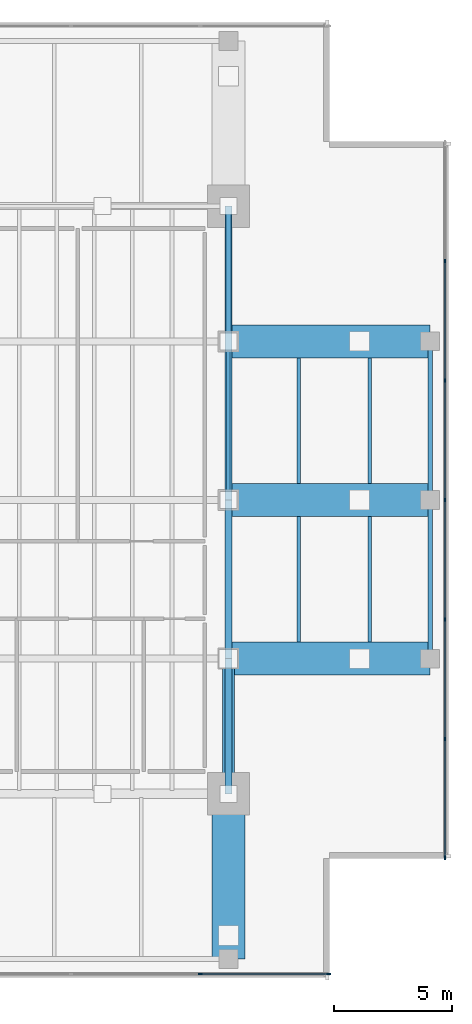
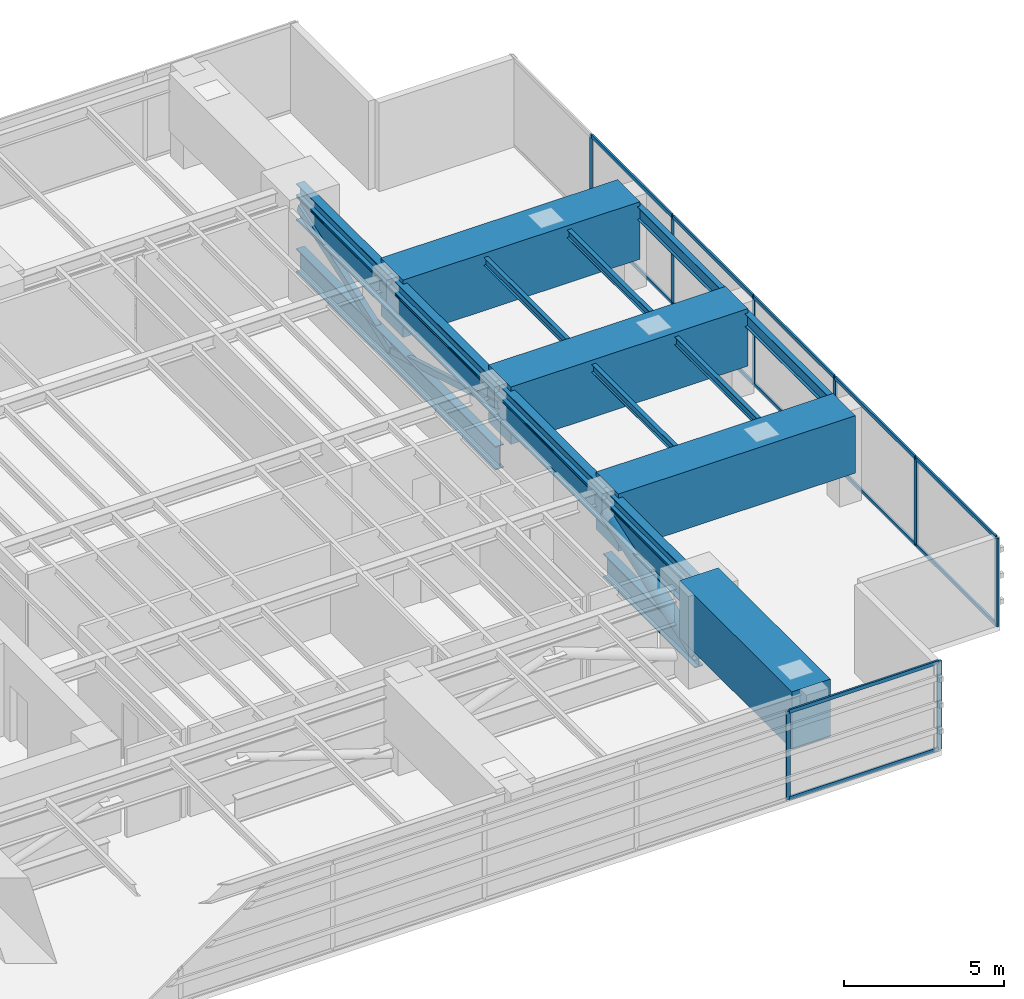
# One storey, part 4 of 13: 26 members, 14 beams, 2 elements without a shape of their own.
"""IFC4 building model written with IfcOpenShell, lengths in metres."""

import ifcopenshell
import ifcopenshell.guid

model = None  # the IFC model being written
_history = None  # IfcOwnerHistory: only IFC2X3 demands one
_inside = {}  # id of a spatial element -> (the spatial element, [elements in it])
_under = {}  # id of a project, library or spatial element -> (it, [spatial elements below it])
_declared = {}  # id of a project -> (the project, [libraries it declares])
_typed = {}  # id of a type object -> (the type object, [elements of that type])
_made_of = {}  # id of a material, layer set ... -> (it, [elements and type objects made of it])


def new_model(schema):
    """Start an empty IFC model of exactly this schema.

    Asked for "IFC4X3", IfcOpenShell would pick the latest addendum, in which some entities
    have other attributes; the version numbers below select the first issue.
    IFC2X3 requires an IfcOwnerHistory on every rooted entity: one is made here for all.
    """
    global model, _history
    if schema == "IFC4X3":
        model = ifcopenshell.file(schema_version=(4, 3, 0, 0))
    else:
        model = ifcopenshell.file(schema=schema)
    _inside.clear()
    _under.clear()
    _declared.clear()
    _typed.clear()
    _made_of.clear()
    _history = None
    if model.schema == "IFC2X3":
        org = make("IfcOrganization", Name="unknown")
        user = make(
            "IfcPersonAndOrganization",
            ThePerson=make("IfcPerson", FamilyName="unknown"),
            TheOrganization=org,
        )
        app = make(
            "IfcApplication",
            ApplicationDeveloper=org,
            Version="unknown",
            ApplicationFullName="unknown",
            ApplicationIdentifier="unknown",
        )
        _history = make(
            "IfcOwnerHistory",
            OwningUser=user,
            OwningApplication=app,
            ChangeAction="ADDED",
            CreationDate=0,
        )
    return model


def make(cls, **values):
    """One entity of the class cls with the attributes given. An attribute that is None is left unset."""
    return model.create_entity(
        cls, **{name: value for name, value in values.items() if value is not None}
    )


def rooted(cls, **values):
    """An entity with a GlobalId (a new one), such as an element, a storey or a relation."""
    return make(cls, GlobalId=ifcopenshell.guid.new(), OwnerHistory=_history, **values)


def si_unit(unit_type, name, prefix=None):
    """IfcSIUnit, for example si_unit("LENGTHUNIT", "METRE", prefix="MILLI")."""
    return make("IfcSIUnit", UnitType=unit_type, Prefix=prefix, Name=name)


def assignment(units):
    """IfcUnitAssignment: the units of a project."""
    return None if units is None else make("IfcUnitAssignment", Units=units)


def point(xyz):
    """IfcCartesianPoint."""
    return None if xyz is None else make("IfcCartesianPoint", Coordinates=xyz)


def direction(xyz):
    """IfcDirection."""
    return None if xyz is None else make("IfcDirection", DirectionRatios=xyz)


def frame(location, z_axis=None, x_axis=None):
    """IfcAxis2Placement3D, a coordinate frame: its origin and axes. An axis left out is left unset."""
    return make(
        "IfcAxis2Placement3D",
        Location=point(location),
        Axis=direction(z_axis),
        RefDirection=direction(x_axis),
    )


def frame_2d(location, x_axis=None):
    """IfcAxis2Placement2D, a coordinate frame in the plane: its origin and x axis."""
    return make(
        "IfcAxis2Placement2D", Location=point(location), RefDirection=direction(x_axis)
    )


def origin():
    """The frame at (0, 0, 0) with its axes left unset."""
    return frame((0.0, 0.0, 0.0))


def origin_2d():
    """The frame at (0, 0) in the plane with its x axis left unset."""
    return frame_2d((0.0, 0.0))


def place(relative_to, where):
    """IfcLocalPlacement: puts the frame where relative to a parent placement (None: the world)."""
    return make(
        "IfcLocalPlacement", PlacementRelTo=relative_to, RelativePlacement=where
    )


def context(
    kind, dimensions, precision=None, world=None, true_north=None, identifier=None
):
    """IfcGeometricRepresentationContext, for example the 3D "Model" context."""
    return make(
        "IfcGeometricRepresentationContext",
        ContextIdentifier=identifier,
        ContextType=kind,
        CoordinateSpaceDimension=dimensions,
        Precision=precision,
        WorldCoordinateSystem=world,
        TrueNorth=true_north,
    )


def subcontext(parent, identifier, kind, view, scale=None):
    """IfcGeometricRepresentationSubContext, for example "Body" below "Model"."""
    return make(
        "IfcGeometricRepresentationSubContext",
        ContextIdentifier=identifier,
        ContextType=kind,
        ParentContext=parent,
        TargetScale=scale,
        TargetView=view,
    )


def project(units=None, contexts=None):
    """IfcProject with its units and contexts."""
    return rooted(
        "IfcProject",
        Name="project",
        RepresentationContexts=contexts,
        UnitsInContext=assignment(units),
    )


def spatial(cls, under=None, at=None, **own):
    """A site, building, storey or space (cls), placed at a placement, below another one or the project."""
    s = rooted(cls, ObjectPlacement=at, **own)
    if under is not None:
        _under.setdefault(under.id(), (under, []))[1].append(s)
    return s


def profile(cls, at=None, kind="AREA", **sizes):
    """A parametric profile (cls). Its sizes go by their IFC names, for example OverallWidth=200.0."""
    return make(cls, ProfileType=kind, Position=at, **sizes)


def rectangle(**sizes):
    """IfcRectangleProfileDef."""
    return profile("IfcRectangleProfileDef", **sizes)


def hollow_rectangle(**sizes):
    """IfcRectangleHollowProfileDef."""
    return profile("IfcRectangleHollowProfileDef", **sizes)


def hollow_circle(**sizes):
    """IfcCircleHollowProfileDef."""
    return profile("IfcCircleHollowProfileDef", **sizes)


def i_section(**sizes):
    """IfcIShapeProfileDef."""
    return profile("IfcIShapeProfileDef", **sizes)


def extrude(swept, where, along, depth):
    """IfcExtrudedAreaSolid: the profile swept, set in the frame where, extruded along a direction by depth."""
    return make(
        "IfcExtrudedAreaSolid",
        SweptArea=swept,
        Position=where,
        ExtrudedDirection=direction(along),
        Depth=depth,
    )


def shape(context_of_items, identifier, shape_type, items):
    """IfcShapeRepresentation: the items that make up one representation, for example the "Body"."""
    return make(
        "IfcShapeRepresentation",
        ContextOfItems=context_of_items,
        RepresentationIdentifier=identifier,
        RepresentationType=shape_type,
        Items=items,
    )


def material(Name=None, Category=None):
    """IfcMaterial."""
    return make("IfcMaterial", Name=Name, Category=Category)


def layer(
    of_material, thickness, ventilated=None, Name=None, Category=None, Priority=None
):
    """IfcMaterialLayer: one layer of a wall or slab, of a material (None: an air gap)."""
    return make(
        "IfcMaterialLayer",
        Material=of_material,
        LayerThickness=thickness,
        IsVentilated=ventilated,
        Name=Name,
        Category=Category,
        Priority=Priority,
    )


def layer_set(layers, Name=None):
    """IfcMaterialLayerSet."""
    return make("IfcMaterialLayerSet", MaterialLayers=layers, LayerSetName=Name)


def material_profile(
    of_material, cross_section, Name=None, Category=None, Priority=None
):
    """IfcMaterialProfile: a cross section and its material."""
    return make(
        "IfcMaterialProfile",
        Name=Name,
        Material=of_material,
        Profile=cross_section,
        Priority=Priority,
        Category=Category,
    )


def profile_set(profiles, Name=None, composite=None):
    """IfcMaterialProfileSet."""
    return make(
        "IfcMaterialProfileSet",
        Name=Name,
        MaterialProfiles=profiles,
        CompositeProfile=composite,
    )


def made_of(thing, what):
    """Note that an element or type object is made of a material, layer set ...; save() writes the relation."""
    if what is not None:
        _made_of.setdefault(what.id(), (what, []))[1].append(thing)
    return thing


def type_object(cls, material=None, **own):
    """A type object (cls), such as IfcWallType, which elements share."""
    return made_of(rooted(cls, **own), material)


def element(
    cls,
    number,
    at=None,
    inside=None,
    cuts=None,
    type_object=None,
    material=None,
    context=None,
    identifier="Body",
    shape_type=None,
    held_by="IfcProductDefinitionShape",
    body=None,
    shapes=None,
    **own,
):
    """One element of the class cls, such as IfcWall. Its Tag is "e" and its number.

    at: its placement. inside: the storey or other place that contains it. cuts: it is an
    opening in that element (IfcRelVoidsElement). A single representation is given by context,
    identifier, shape_type and body (its items); several are given by shapes. held_by: the class
    of the entity that holds the representations. save() writes the other relations.
    """
    e = rooted(cls, Tag="e%d" % number, ObjectPlacement=at, **own)
    if body is not None:
        shapes = [shape(context, identifier, shape_type, body)]
    if shapes is not None:
        e.Representation = make(held_by, Representations=shapes)
    if inside is not None:
        _inside.setdefault(inside.id(), (inside, []))[1].append(e)
    if cuts is not None:
        rooted(
            "IfcRelVoidsElement", RelatingBuildingElement=cuts, RelatedOpeningElement=e
        )
    if type_object is not None:
        _typed.setdefault(type_object.id(), (type_object, []))[1].append(e)
    return made_of(e, material)


def aggregate(whole, parts):
    """IfcRelAggregates: a whole, such as a stair, and the parts it consists of."""
    return rooted("IfcRelAggregates", RelatingObject=whole, RelatedObjects=parts)


def save(model, path):
    """Write the relations noted so far, then the file.

    IfcRelAggregates (storeys below a building ...), IfcRelContainedInSpatialStructure (elements
    in a storey), IfcRelDefinesByType, IfcRelAssociatesMaterial and IfcRelDeclares: one each for
    every whole, place, type object, material and project.
    """
    for whole, parts in _under.values():
        aggregate(whole, parts)
    for where, things in _inside.values():
        rooted(
            "IfcRelContainedInSpatialStructure",
            RelatedElements=things,
            RelatingStructure=where,
        )
    for kind, things in _typed.values():
        rooted("IfcRelDefinesByType", RelatedObjects=things, RelatingType=kind)
    for what, things in _made_of.values():
        rooted("IfcRelAssociatesMaterial", RelatedObjects=things, RelatingMaterial=what)
    for by, libraries in _declared.values():
        rooted("IfcRelDeclares", RelatingContext=by, RelatedDefinitions=libraries)
    model.write(path)


model = new_model("IFC4")

# Units and contexts
model_context = context("Model", 3, precision=1e-05, world=origin(), true_north=direction((0.0, 1.0)))
body_context = subcontext(model_context, "Body", "Model", "MODEL_VIEW")
ifc_project = project(units=[si_unit("LENGTHUNIT", "METRE"), si_unit("AREAUNIT", "SQUARE_METRE"), si_unit("VOLUMEUNIT", "CUBIC_METRE"), si_unit("PLANEANGLEUNIT", "RADIAN"), si_unit("MASSUNIT", "GRAM", prefix="KILO")], contexts=[model_context])

# Site, building, storey
site_placement = place(None, origin())
site = spatial("IfcSite", under=ifc_project, at=site_placement, CompositionType="ELEMENT")
building_placement = place(site_placement, origin())
building = spatial("IfcBuilding", under=site, at=building_placement, Name="Kinhvarn Gate Tower", CompositionType="ELEMENT")
storey_placement = place(building_placement, frame((0.0, 0.0, 241.300048828125)))
storey = spatial("IfcBuildingStorey", under=building, at=storey_placement, Name="L64", CompositionType="ELEMENT", Elevation=241.300048828125)

# Beams
ifc_material_1 = material(Name="Concrete C60/75", Category="concrete")
ifc_material_profile_1 = material_profile(ifc_material_1, rectangle(XDim=1.39990234375, YDim=2.199951171875, at=origin_2d()), Name="RC 1400x2200")
ifc_profile_set_1 = profile_set([ifc_material_profile_1], Name="Concrete C60/75")
beam_type_1 = type_object("IfcBeamType", Name="BM-TG-2200", PredefinedType="BEAM", material=ifc_profile_set_1)
for number, where, z_axis, x_axis, name in (
    (1, (38.199951171875, 18.5, 2.449951171875), (1.0, 0.0, 0.0), (0.0, 1.0, 0.0), "Setback Transfer Girder TG-02-L65-CE-1"),
    (2, (38.199951171875, 25.25, 2.449951171875), (1.0, 0.0, 0.0), (0.0, 1.0, 0.0), "Setback Transfer Girder TG-02-L65-CE-2"),
    (3, (38.199951171875, 32.0, 2.449951171875), (1.0, 0.0, 0.0), (0.0, 1.0, 0.0), "Setback Transfer Girder TG-02-L65-CE-3"),
):
    element("IfcBeam", number, at=place(storey_placement, frame(where, z_axis=z_axis, x_axis=x_axis)), inside=storey, type_object=beam_type_1, Name=name, PredefinedType="BEAM", context=body_context, shape_type="SweptSolid", body=[
        extrude(rectangle(XDim=1.39990234375, YDim=2.199951171875, at=origin_2d()), origin(), (0.0, 0.0, 1.0), 8.580078125),
    ])
beam_1_placement = place(storey_placement, frame((38.199951171875, 5.719970703125, 2.449951171875), z_axis=(0.0, 1.0, 0.0), x_axis=(-1.0, 0.0, 0.0)))
element("IfcBeam", 4, at=beam_1_placement, inside=storey, type_object=beam_type_1, Name="Setback Transfer Girder TG-02-L65-CS-2", PredefinedType="BEAM", context=body_context, shape_type="SweptSolid", body=[
    extrude(rectangle(XDim=1.39990234375, YDim=2.199951171875, at=origin_2d()), origin(), (0.0, 0.0, 1.0), 7.030029296875),
])

# Curtain wall, members
ifc_material_2 = material(Name="Anodised aluminium AW-6063", Category="aluminium")
ifc_layer = layer(ifc_material_2, 0.179931640625)
ifc_layer_set = layer_set([ifc_layer], Name="Anodised aluminium AW-6063")
curtain_wall_type = type_object("IfcCurtainWallType", Name="CW-SYS-3", PredefinedType="NOTDEFINED", material=ifc_layer_set)
curtain_wall_1_placement = place(storey_placement, origin())
curtain_wall_1 = element("IfcCurtainWall", 5, at=curtain_wall_1_placement, inside=storey, type_object=curtain_wall_type, Name="Curtain Wall CW3 (L64)", PredefinedType="NOTDEFINED")
ifc_material_profile_2 = material_profile(ifc_material_2, rectangle(XDim=0.06494140625, YDim=0.159912109375, at=origin_2d()), Name="ALU 65x160")
ifc_profile_set_2 = profile_set([ifc_material_profile_2], Name="Anodised aluminium AW-6063")
member_type_1 = type_object("IfcMemberType", Name="CW-MUL-160", PredefinedType="MULLION", material=ifc_profile_set_2)
member_1_placement = place(storey_placement, frame((37.0, 5.090087890625, 0.0), z_axis=(0.0, 0.0, 1.0), x_axis=(0.0, 1.0, 0.0)))
member_1 = element("IfcMember", 6, at=member_1_placement, type_object=member_type_1, Name="CW3 mullion 6", PredefinedType="MULLION", context=body_context, shape_type="SweptSolid", body=[
    extrude(rectangle(XDim=0.06494140625, YDim=0.159912109375, at=origin_2d()), origin(), (0.0, 0.0, 1.0), 3.389892578125),
])
member_2_placement = place(storey_placement, frame((42.467529296875, 5.090087890625, 0.0), z_axis=(0.0, 0.0, 1.0), x_axis=(0.0, 1.0, 0.0)))
member_2 = element("IfcMember", 7, at=member_2_placement, type_object=member_type_1, Name="CW3 mullion 7", PredefinedType="MULLION", context=body_context, shape_type="SweptSolid", body=[
    extrude(rectangle(XDim=0.06494140625, YDim=0.159912109375, at=origin_2d()), origin(), (0.0, 0.0, 1.0), 3.389892578125),
])

curtain_wall_2_placement = place(storey_placement, origin())
curtain_wall_2 = element("IfcCurtainWall", 8, at=curtain_wall_2_placement, inside=storey, type_object=curtain_wall_type, Name="Curtain Wall CW3 (L64)", PredefinedType="NOTDEFINED")
member_3_placement = place(storey_placement, frame((47.409912109375, 10.032470703125, 0.0), z_axis=(0.0, 0.0, 1.0), x_axis=(-1.0, 0.0, 0.0)))
member_3 = element("IfcMember", 9, at=member_3_placement, type_object=member_type_1, Name="CW3 mullion 1", PredefinedType="MULLION", context=body_context, shape_type="SweptSolid", body=[
    extrude(rectangle(XDim=0.06494140625, YDim=0.159912109375, at=origin_2d()), origin(), (0.0, 0.0, 1.0), 3.389892578125),
])
member_4_placement = place(storey_placement, frame((47.409912109375, 15.083251953125, 0.0), z_axis=(0.0, 0.0, 1.0), x_axis=(-1.0, 0.0, 0.0)))
member_4 = element("IfcMember", 10, at=member_4_placement, type_object=member_type_1, Name="CW3 mullion 2", PredefinedType="MULLION", context=body_context, shape_type="SweptSolid", body=[
    extrude(rectangle(XDim=0.06494140625, YDim=0.159912109375, at=origin_2d()), origin(), (0.0, 0.0, 1.0), 3.389892578125),
])
member_5_placement = place(storey_placement, frame((47.409912109375, 20.166748046875, 0.0), z_axis=(0.0, 0.0, 1.0), x_axis=(-1.0, 0.0, 0.0)))
member_5 = element("IfcMember", 11, at=member_5_placement, type_object=member_type_1, Name="CW3 mullion 3", PredefinedType="MULLION", context=body_context, shape_type="SweptSolid", body=[
    extrude(rectangle(XDim=0.06494140625, YDim=0.159912109375, at=origin_2d()), origin(), (0.0, 0.0, 1.0), 3.389892578125),
])
member_6_placement = place(storey_placement, frame((47.409912109375, 25.25, 0.0), z_axis=(0.0, 0.0, 1.0), x_axis=(-1.0, 0.0, 0.0)))
member_6 = element("IfcMember", 12, at=member_6_placement, type_object=member_type_1, Name="CW3 mullion 4", PredefinedType="MULLION", context=body_context, shape_type="SweptSolid", body=[
    extrude(rectangle(XDim=0.06494140625, YDim=0.159912109375, at=origin_2d()), origin(), (0.0, 0.0, 1.0), 3.389892578125),
])
member_7_placement = place(storey_placement, frame((47.409912109375, 30.333251953125, 0.0), z_axis=(0.0, 0.0, 1.0), x_axis=(-1.0, 0.0, 0.0)))
member_7 = element("IfcMember", 13, at=member_7_placement, type_object=member_type_1, Name="CW3 mullion 5", PredefinedType="MULLION", context=body_context, shape_type="SweptSolid", body=[
    extrude(rectangle(XDim=0.06494140625, YDim=0.159912109375, at=origin_2d()), origin(), (0.0, 0.0, 1.0), 3.389892578125),
])
member_8_placement = place(storey_placement, frame((47.409912109375, 35.416748046875, 0.0), z_axis=(0.0, 0.0, 1.0), x_axis=(-1.0, 0.0, 0.0)))
member_8 = element("IfcMember", 14, at=member_8_placement, type_object=member_type_1, Name="CW3 mullion 6", PredefinedType="MULLION", context=body_context, shape_type="SweptSolid", body=[
    extrude(rectangle(XDim=0.06494140625, YDim=0.159912109375, at=origin_2d()), origin(), (0.0, 0.0, 1.0), 3.389892578125),
])

# Member
ifc_material_profile_3 = material_profile(ifc_material_2, rectangle(XDim=0.070068359375, YDim=0.139892578125, at=origin_2d()), Name="ALU 70x140")
ifc_profile_set_3 = profile_set([ifc_material_profile_3], Name="Anodised aluminium AW-6063")
member_type_2 = type_object("IfcMemberType", Name="CW-TRN-140", PredefinedType="USERDEFINED", material=ifc_profile_set_3)
member_9_placement = place(storey_placement, frame((37.032470703125, 5.090087890625, 0.034912109375), z_axis=(1.0, 0.0, 0.0), x_axis=(0.0, 1.0, 0.0)))
member_9 = element("IfcMember", 15, at=member_9_placement, type_object=member_type_2, Name="CW3 transom 6.1", ObjectType="TRANSOM", PredefinedType="USERDEFINED", context=body_context, shape_type="SweptSolid", body=[
    extrude(rectangle(XDim=0.070068359375, YDim=0.139892578125, at=origin_2d()), origin(), (0.0, 0.0, 1.0), 5.402587890625),
])

member_10_placement = place(storey_placement, frame((37.032470703125, 5.090087890625, 3.35498046875), z_axis=(1.0, 0.0, 0.0), x_axis=(0.0, 1.0, 0.0)))
member_10 = element("IfcMember", 16, at=member_10_placement, type_object=member_type_2, Name="CW3 transom 6.2", ObjectType="TRANSOM", PredefinedType="USERDEFINED", context=body_context, shape_type="SweptSolid", body=[
    extrude(rectangle(XDim=0.070068359375, YDim=0.139892578125, at=origin_2d()), origin(), (0.0, 0.0, 1.0), 5.402587890625),
])

aggregate(curtain_wall_1, [member_1, member_2, member_9, member_10])

member_11_placement = place(storey_placement, frame((47.409912109375, 10.06494140625, 0.034912109375), z_axis=(0.0, 1.0, 0.0), x_axis=(-1.0, 0.0, 0.0)))
member_11 = element("IfcMember", 17, at=member_11_placement, type_object=member_type_2, Name="CW3 transom 1.1", ObjectType="TRANSOM", PredefinedType="USERDEFINED", context=body_context, shape_type="SweptSolid", body=[
    extrude(rectangle(XDim=0.070068359375, YDim=0.139892578125, at=origin_2d()), origin(), (0.0, 0.0, 1.0), 4.98583984375),
])

member_12_placement = place(storey_placement, frame((47.409912109375, 10.06494140625, 3.35498046875), z_axis=(0.0, 1.0, 0.0), x_axis=(-1.0, 0.0, 0.0)))
member_12 = element("IfcMember", 18, at=member_12_placement, type_object=member_type_2, Name="CW3 transom 1.2", ObjectType="TRANSOM", PredefinedType="USERDEFINED", context=body_context, shape_type="SweptSolid", body=[
    extrude(rectangle(XDim=0.070068359375, YDim=0.139892578125, at=origin_2d()), origin(), (0.0, 0.0, 1.0), 4.98583984375),
])

member_13_placement = place(storey_placement, frame((47.409912109375, 15.11572265625, 0.034912109375), z_axis=(0.0, 1.0, 0.0), x_axis=(-1.0, 0.0, 0.0)))
member_13 = element("IfcMember", 19, at=member_13_placement, type_object=member_type_2, Name="CW3 transom 2.1", ObjectType="TRANSOM", PredefinedType="USERDEFINED", context=body_context, shape_type="SweptSolid", body=[
    extrude(rectangle(XDim=0.070068359375, YDim=0.139892578125, at=origin_2d()), origin(), (0.0, 0.0, 1.0), 5.0185546875),
])

member_14_placement = place(storey_placement, frame((47.409912109375, 15.11572265625, 3.35498046875), z_axis=(0.0, 1.0, 0.0), x_axis=(-1.0, 0.0, 0.0)))
member_14 = element("IfcMember", 20, at=member_14_placement, type_object=member_type_2, Name="CW3 transom 2.2", ObjectType="TRANSOM", PredefinedType="USERDEFINED", context=body_context, shape_type="SweptSolid", body=[
    extrude(rectangle(XDim=0.070068359375, YDim=0.139892578125, at=origin_2d()), origin(), (0.0, 0.0, 1.0), 5.0185546875),
])

member_15_placement = place(storey_placement, frame((47.409912109375, 20.19921875, 0.034912109375), z_axis=(0.0, 1.0, 0.0), x_axis=(-1.0, 0.0, 0.0)))
member_15 = element("IfcMember", 21, at=member_15_placement, type_object=member_type_2, Name="CW3 transom 3.1", ObjectType="TRANSOM", PredefinedType="USERDEFINED", context=body_context, shape_type="SweptSolid", body=[
    extrude(rectangle(XDim=0.070068359375, YDim=0.139892578125, at=origin_2d()), origin(), (0.0, 0.0, 1.0), 5.018310546875),
])

member_16_placement = place(storey_placement, frame((47.409912109375, 20.19921875, 3.35498046875), z_axis=(0.0, 1.0, 0.0), x_axis=(-1.0, 0.0, 0.0)))
member_16 = element("IfcMember", 22, at=member_16_placement, type_object=member_type_2, Name="CW3 transom 3.2", ObjectType="TRANSOM", PredefinedType="USERDEFINED", context=body_context, shape_type="SweptSolid", body=[
    extrude(rectangle(XDim=0.070068359375, YDim=0.139892578125, at=origin_2d()), origin(), (0.0, 0.0, 1.0), 5.018310546875),
])

member_17_placement = place(storey_placement, frame((47.409912109375, 25.282470703125, 0.034912109375), z_axis=(0.0, 1.0, 0.0), x_axis=(-1.0, 0.0, 0.0)))
member_17 = element("IfcMember", 23, at=member_17_placement, type_object=member_type_2, Name="CW3 transom 4.1", ObjectType="TRANSOM", PredefinedType="USERDEFINED", context=body_context, shape_type="SweptSolid", body=[
    extrude(rectangle(XDim=0.070068359375, YDim=0.139892578125, at=origin_2d()), origin(), (0.0, 0.0, 1.0), 5.018310546875),
])

member_18_placement = place(storey_placement, frame((47.409912109375, 25.282470703125, 3.35498046875), z_axis=(0.0, 1.0, 0.0), x_axis=(-1.0, 0.0, 0.0)))
member_18 = element("IfcMember", 24, at=member_18_placement, type_object=member_type_2, Name="CW3 transom 4.2", ObjectType="TRANSOM", PredefinedType="USERDEFINED", context=body_context, shape_type="SweptSolid", body=[
    extrude(rectangle(XDim=0.070068359375, YDim=0.139892578125, at=origin_2d()), origin(), (0.0, 0.0, 1.0), 5.018310546875),
])

member_19_placement = place(storey_placement, frame((47.409912109375, 30.36572265625, 0.034912109375), z_axis=(0.0, 1.0, 0.0), x_axis=(-1.0, 0.0, 0.0)))
member_19 = element("IfcMember", 25, at=member_19_placement, type_object=member_type_2, Name="CW3 transom 5.1", ObjectType="TRANSOM", PredefinedType="USERDEFINED", context=body_context, shape_type="SweptSolid", body=[
    extrude(rectangle(XDim=0.070068359375, YDim=0.139892578125, at=origin_2d()), origin(), (0.0, 0.0, 1.0), 5.0185546875),
])

member_20_placement = place(storey_placement, frame((47.409912109375, 30.36572265625, 3.35498046875), z_axis=(0.0, 1.0, 0.0), x_axis=(-1.0, 0.0, 0.0)))
member_20 = element("IfcMember", 26, at=member_20_placement, type_object=member_type_2, Name="CW3 transom 5.2", ObjectType="TRANSOM", PredefinedType="USERDEFINED", context=body_context, shape_type="SweptSolid", body=[
    extrude(rectangle(XDim=0.070068359375, YDim=0.139892578125, at=origin_2d()), origin(), (0.0, 0.0, 1.0), 5.0185546875),
])

aggregate(curtain_wall_2, [member_3, member_4, member_5, member_6, member_7, member_8, member_11, member_12, member_13, member_14, member_15, member_16, member_17, member_18, member_19, member_20])

# Members
ifc_material_3 = material(Name="Steel S355", Category="steel")
ifc_material_profile_4 = material_profile(ifc_material_3, hollow_circle(Radius=0.25390625, WallThickness=0.02490234375, at=origin_2d()), Name="CHS 508x25")
ifc_profile_set_4 = profile_set([ifc_material_profile_4], Name="Steel S355")
member_type_3 = type_object("IfcMemberType", Name="MBR-CHS508x25", PredefinedType="STRUT", material=ifc_profile_set_4)
member_21_placement = place(storey_placement, frame((38.199951171875, 12.75, 0.449951171875), z_axis=(0.0, 0.945006107286, 0.327052682595), x_axis=(-1.0, 0.0, 0.0)))
element("IfcMember", 27, at=member_21_placement, inside=storey, type_object=member_type_3, Name="Belt Truss Spine Diagonal SR-16 (CHS 508x25)", PredefinedType="STRUT", context=body_context, shape_type="SweptSolid", body=[
    extrude(hollow_circle(Radius=0.25390625, WallThickness=0.02490234375, at=origin_2d()), origin(), (0.0, 0.0, 1.0), 6.084716796875),
])
ifc_material_profile_5 = material_profile(ifc_material_3, hollow_rectangle(XDim=0.14990234375, YDim=0.25, WallThickness=0.011962890625, at=origin_2d()), Name="RHS 250x150x12")
ifc_profile_set_5 = profile_set([ifc_material_profile_5], Name="Steel S355")
member_type_4 = type_object("IfcMemberType", Name="MBR-RHS250x150x12", PredefinedType="BRACE", material=ifc_profile_set_5)
member_22_placement = place(storey_placement, frame((38.199951171875, 25.25, 2.43994140625), z_axis=(0.0, 0.959184659688, -0.28278046011), x_axis=(-1.0, 0.0, 0.0)))
element("IfcMember", 28, at=member_22_placement, inside=storey, type_object=member_type_4, Name="Belt Truss Spine Diagonal BR-01 (RHS 250x150x12)", PredefinedType="BRACE", context=body_context, shape_type="SweptSolid", body=[
    extrude(hollow_rectangle(XDim=0.14990234375, YDim=0.25, WallThickness=0.011962890625, at=origin_2d()), origin(), (0.0, 0.0, 1.0), 7.037109375),
])
ifc_material_profile_6 = material_profile(ifc_material_3, hollow_rectangle(XDim=0.199951171875, YDim=0.300048828125, WallThickness=0.011962890625, at=origin_2d()), Name="RHS 300x200x12")
ifc_profile_set_6 = profile_set([ifc_material_profile_6], Name="Steel S355")
member_type_5 = type_object("IfcMemberType", Name="MBR-RHS300x200x12", PredefinedType="BRACE", material=ifc_profile_set_6)
member_23_placement = place(storey_placement, frame((38.199951171875, 32.0, 0.449951171875), z_axis=(0.0, 0.945006107286, 0.327052682595), x_axis=(-1.0, 0.0, 0.0)))
element("IfcMember", 29, at=member_23_placement, inside=storey, type_object=member_type_5, Name="Belt Truss Spine Diagonal BR-02 (RHS 300x200x12)", PredefinedType="BRACE", context=body_context, shape_type="SweptSolid", body=[
    extrude(hollow_rectangle(XDim=0.199951171875, YDim=0.300048828125, WallThickness=0.011962890625, at=origin_2d()), origin(), (0.0, 0.0, 1.0), 6.084716796875),
])

# Beams
ifc_material_profile_7 = material_profile(ifc_material_3, i_section(OverallWidth=0.300048828125, OverallDepth=0.449951171875, WebThickness=0.013916015625, FlangeThickness=0.02587890625, at=origin_2d()), Name="HEB 450")
ifc_profile_set_7 = profile_set([ifc_material_profile_7], Name="Steel S355")
beam_type_2 = type_object("IfcBeamType", Name="STL-HEB450", PredefinedType="BEAM", material=ifc_profile_set_7)
beam_2_placement = place(storey_placement, frame((38.199951171875, 12.75, 3.1650390625), z_axis=(0.0, 1.0, 0.0), x_axis=(-1.0, 0.0, 0.0)))
element("IfcBeam", 30, at=beam_2_placement, inside=storey, type_object=beam_type_2, Name="Floor Beam PG-13 (L64 MG-E-12)", PredefinedType="BEAM", context=body_context, shape_type="SweptSolid", body=[
    extrude(i_section(OverallWidth=0.300048828125, OverallDepth=0.449951171875, WebThickness=0.013916015625, FlangeThickness=0.02587890625, at=origin_2d()), origin(), (0.0, 0.0, 1.0), 5.75),
])
for number, where, z_axis, x_axis, name in (
    (31, (38.199951171875, 18.5, 3.1650390625), (0.0, 1.0, 0.0), (-1.0, 0.0, 0.0), "Floor Beam PG-13 (L64 MG-E-18)"),
    (32, (38.199951171875, 25.25, 3.1650390625), (0.0, 1.0, 0.0), (-1.0, 0.0, 0.0), "Floor Beam PG-13 (L64 MG-E-25)"),
):
    element("IfcBeam", number, at=place(storey_placement, frame(where, z_axis=z_axis, x_axis=x_axis)), inside=storey, type_object=beam_type_2, Name=name, PredefinedType="BEAM", context=body_context, shape_type="SweptSolid", body=[
        extrude(i_section(OverallWidth=0.300048828125, OverallDepth=0.449951171875, WebThickness=0.013916015625, FlangeThickness=0.02587890625, at=origin_2d()), origin(), (0.0, 0.0, 1.0), 6.75),
    ])
beam_3_placement = place(storey_placement, frame((38.199951171875, 32.0, 3.1650390625), z_axis=(0.0, 1.0, 0.0), x_axis=(-1.0, 0.0, 0.0)))
element("IfcBeam", 33, at=beam_3_placement, inside=storey, type_object=beam_type_2, Name="Floor Beam PG-13 (L64 MG-E-32)", PredefinedType="BEAM", context=body_context, shape_type="SweptSolid", body=[
    extrude(i_section(OverallWidth=0.300048828125, OverallDepth=0.449951171875, WebThickness=0.013916015625, FlangeThickness=0.02587890625, at=origin_2d()), origin(), (0.0, 0.0, 1.0), 5.75),
])

# Members
ifc_material_profile_8 = material_profile(ifc_material_3, i_section(OverallWidth=0.300048828125, OverallDepth=0.89990234375, WebThickness=0.0185546875, FlangeThickness=0.034912109375, at=origin_2d()), Name="HEB 900")
ifc_profile_set_8 = profile_set([ifc_material_profile_8], Name="Steel S355")
member_type_6 = type_object("IfcMemberType", Name="STL-HEB900", PredefinedType="CHORD", material=ifc_profile_set_8)
member_24_placement = place(storey_placement, frame((38.199951171875, 12.75, 0.449951171875), z_axis=(0.0, 1.0, 0.0), x_axis=(-1.0, 0.0, 0.0)))
element("IfcMember", 34, at=member_24_placement, inside=storey, type_object=member_type_6, Name="Outrigger Belt Chord BC-20 (L64 BLT-EA-BOT)", PredefinedType="CHORD", context=body_context, shape_type="SweptSolid", body=[
    extrude(i_section(OverallWidth=0.300048828125, OverallDepth=0.89990234375, WebThickness=0.0185546875, FlangeThickness=0.034912109375, at=origin_2d()), origin(), (0.0, 0.0, 1.0), 5.75),
])
member_25_placement = place(storey_placement, frame((38.199951171875, 25.25, 0.449951171875), z_axis=(0.0, 1.0, 0.0), x_axis=(-1.0, 0.0, 0.0)))
element("IfcMember", 35, at=member_25_placement, inside=storey, type_object=member_type_6, Name="Outrigger Belt Chord BC-20 (L64 BLT-EB-BOT)", PredefinedType="CHORD", context=body_context, shape_type="SweptSolid", body=[
    extrude(i_section(OverallWidth=0.300048828125, OverallDepth=0.89990234375, WebThickness=0.0185546875, FlangeThickness=0.034912109375, at=origin_2d()), origin(), (0.0, 0.0, 1.0), 12.5),
])
member_26_placement = place(storey_placement, frame((38.199951171875, 12.75, 2.43994140625), z_axis=(0.0, 1.0, 0.0), x_axis=(-1.0, 0.0, 0.0)))
element("IfcMember", 36, at=member_26_placement, inside=storey, type_object=member_type_6, Name="Outrigger Belt Chord BC-20 (L64 BLT-E-TOP)", PredefinedType="CHORD", context=body_context, shape_type="SweptSolid", body=[
    extrude(i_section(OverallWidth=0.300048828125, OverallDepth=0.89990234375, WebThickness=0.0185546875, FlangeThickness=0.034912109375, at=origin_2d()), origin(), (0.0, 0.0, 1.0), 25.0),
])

# Beams
ifc_material_profile_9 = material_profile(ifc_material_3, i_section(OverallWidth=0.14990234375, OverallDepth=0.300048828125, WebThickness=0.007080078125, FlangeThickness=0.0107421875, at=origin_2d()), Name="IPE 300")
ifc_profile_set_9 = profile_set([ifc_material_profile_9], Name="Steel S355")
beam_type_3 = type_object("IfcBeamType", Name="STL-IPE300", PredefinedType="JOIST", material=ifc_profile_set_9)
for number, where, z_axis, x_axis, name in (
    (37, (41.199951171875, 19.199951171875, 3.239990234375), (0.0, 1.0, 0.0), (-1.0, 0.0, 0.0), "Floor Joist SB-02 (L64 JC-X412-1)"),
    (38, (41.199951171875, 25.949951171875, 3.239990234375), (0.0, 1.0, 0.0), (-1.0, 0.0, 0.0), "Floor Joist SB-02 (L64 JC-X412-2)"),
    (39, (44.2099609375, 19.199951171875, 3.239990234375), (0.0, 1.0, 0.0), (-1.0, 0.0, 0.0), "Floor Joist SB-02 (L64 JC-X442-1)"),
    (40, (44.2099609375, 25.949951171875, 3.239990234375), (0.0, 1.0, 0.0), (-1.0, 0.0, 0.0), "Floor Joist SB-02 (L64 JC-X442-2)"),
):
    element("IfcBeam", number, at=place(storey_placement, frame(where, z_axis=z_axis, x_axis=x_axis)), inside=storey, type_object=beam_type_3, Name=name, PredefinedType="JOIST", context=body_context, shape_type="SweptSolid", body=[
        extrude(i_section(OverallWidth=0.14990234375, OverallDepth=0.300048828125, WebThickness=0.007080078125, FlangeThickness=0.0107421875, at=origin_2d()), origin(), (0.0, 0.0, 1.0), 5.35009765625),
    ])
ifc_material_profile_10 = material_profile(ifc_material_3, i_section(OverallWidth=0.199951171875, OverallDepth=0.5, WebThickness=0.01025390625, FlangeThickness=0.01611328125, at=origin_2d()), Name="IPE 500")
ifc_profile_set_10 = profile_set([ifc_material_profile_10], Name="Steel S355")
beam_type_4 = type_object("IfcBeamType", Name="STL-IPE500", PredefinedType="SPANDREL", material=ifc_profile_set_10)
for number, where, z_axis, x_axis, name in (
    (41, (46.780029296875, 18.5, 3.139892578125), (0.0, 1.0, 0.0), (-1.0, 0.0, 0.0), "Floor Spandrel SB-07 (L64 SP-E2)"),
    (42, (46.780029296875, 25.25, 3.139892578125), (0.0, 1.0, 0.0), (-1.0, 0.0, 0.0), "Floor Spandrel SB-07 (L64 SP-E3)"),
):
    element("IfcBeam", number, at=place(storey_placement, frame(where, z_axis=z_axis, x_axis=x_axis)), inside=storey, type_object=beam_type_4, Name=name, PredefinedType="SPANDREL", context=body_context, shape_type="SweptSolid", body=[
        extrude(i_section(OverallWidth=0.199951171875, OverallDepth=0.5, WebThickness=0.01025390625, FlangeThickness=0.01611328125, at=origin_2d()), origin(), (0.0, 0.0, 1.0), 6.75),
    ])

save(model, "model.ifc")
